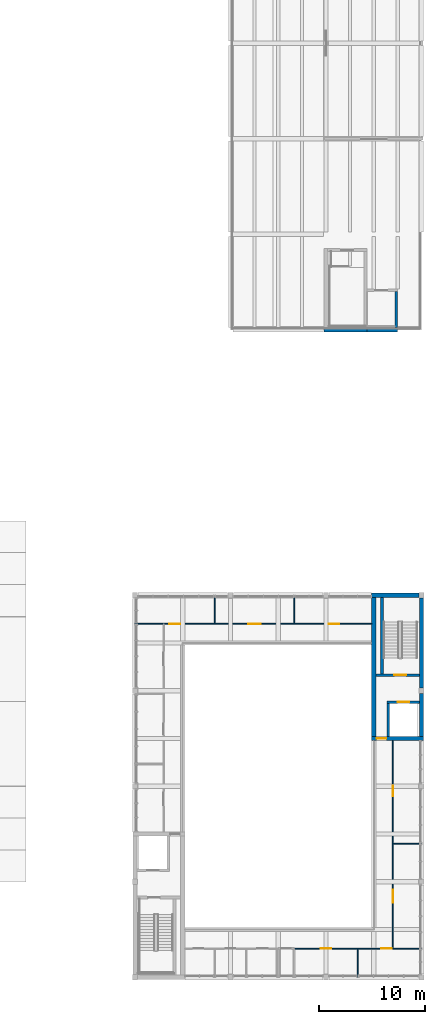
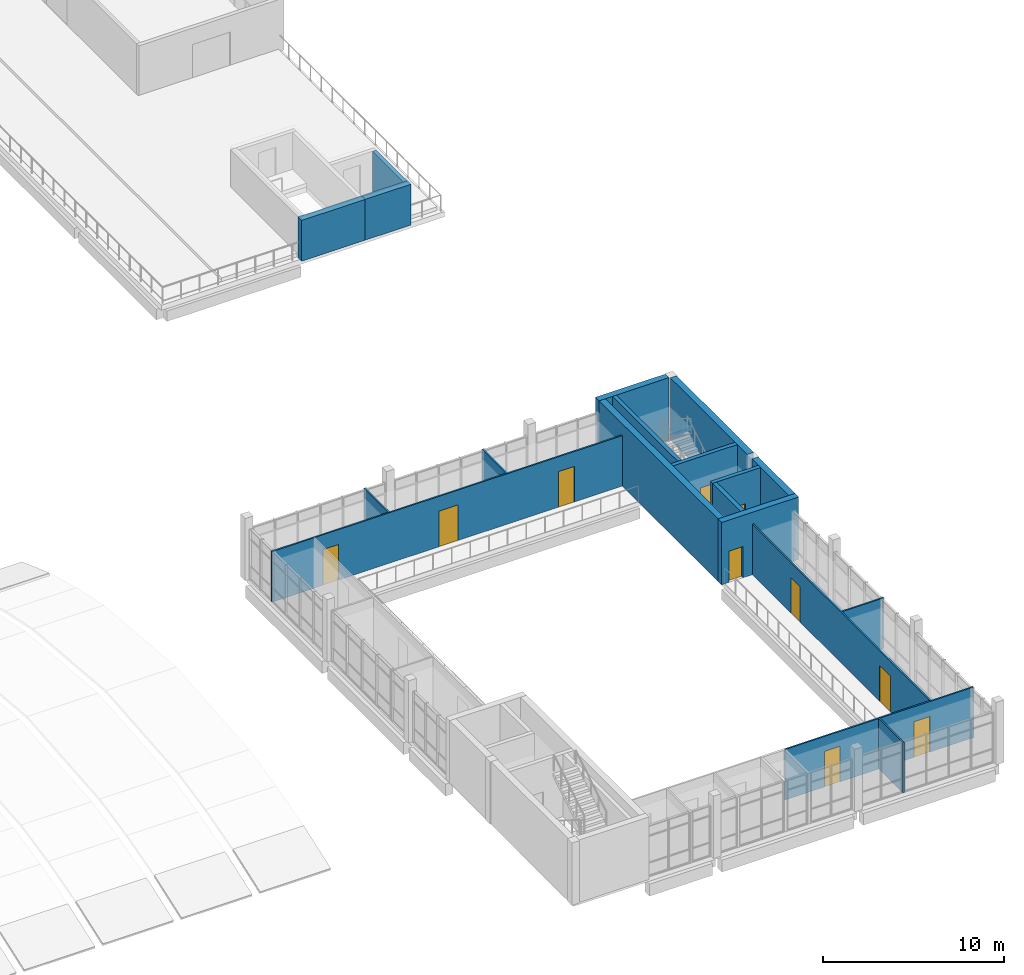
# One storey, part 43 of 74: 19 walls, 10 doors, 10 openings.
"""IFC4 building model written with IfcOpenShell, lengths in metres."""

import ifcopenshell
import ifcopenshell.guid

model = None  # the IFC model being written
_history = None  # IfcOwnerHistory: only IFC2X3 demands one
_inside = {}  # id of a spatial element -> (the spatial element, [elements in it])
_under = {}  # id of a project, library or spatial element -> (it, [spatial elements below it])
_declared = {}  # id of a project -> (the project, [libraries it declares])
_typed = {}  # id of a type object -> (the type object, [elements of that type])
_made_of = {}  # id of a material, layer set ... -> (it, [elements and type objects made of it])


def new_model(schema):
    """Start an empty IFC model of exactly this schema.

    Asked for "IFC4X3", IfcOpenShell would pick the latest addendum, in which some entities
    have other attributes; the version numbers below select the first issue.
    IFC2X3 requires an IfcOwnerHistory on every rooted entity: one is made here for all.
    """
    global model, _history
    if schema == "IFC4X3":
        model = ifcopenshell.file(schema_version=(4, 3, 0, 0))
    else:
        model = ifcopenshell.file(schema=schema)
    _inside.clear()
    _under.clear()
    _declared.clear()
    _typed.clear()
    _made_of.clear()
    _history = None
    if model.schema == "IFC2X3":
        org = make("IfcOrganization", Name="unknown")
        user = make(
            "IfcPersonAndOrganization",
            ThePerson=make("IfcPerson", FamilyName="unknown"),
            TheOrganization=org,
        )
        app = make(
            "IfcApplication",
            ApplicationDeveloper=org,
            Version="unknown",
            ApplicationFullName="unknown",
            ApplicationIdentifier="unknown",
        )
        _history = make(
            "IfcOwnerHistory",
            OwningUser=user,
            OwningApplication=app,
            ChangeAction="ADDED",
            CreationDate=0,
        )
    return model


def make(cls, **values):
    """One entity of the class cls with the attributes given. An attribute that is None is left unset."""
    return model.create_entity(
        cls, **{name: value for name, value in values.items() if value is not None}
    )


def rooted(cls, **values):
    """An entity with a GlobalId (a new one), such as an element, a storey or a relation."""
    return make(cls, GlobalId=ifcopenshell.guid.new(), OwnerHistory=_history, **values)


def si_unit(unit_type, name, prefix=None):
    """IfcSIUnit, for example si_unit("LENGTHUNIT", "METRE", prefix="MILLI")."""
    return make("IfcSIUnit", UnitType=unit_type, Prefix=prefix, Name=name)


def assignment(units):
    """IfcUnitAssignment: the units of a project."""
    return None if units is None else make("IfcUnitAssignment", Units=units)


def point(xyz):
    """IfcCartesianPoint."""
    return None if xyz is None else make("IfcCartesianPoint", Coordinates=xyz)


def direction(xyz):
    """IfcDirection."""
    return None if xyz is None else make("IfcDirection", DirectionRatios=xyz)


def frame(location, z_axis=None, x_axis=None):
    """IfcAxis2Placement3D, a coordinate frame: its origin and axes. An axis left out is left unset."""
    return make(
        "IfcAxis2Placement3D",
        Location=point(location),
        Axis=direction(z_axis),
        RefDirection=direction(x_axis),
    )


def frame_2d(location, x_axis=None):
    """IfcAxis2Placement2D, a coordinate frame in the plane: its origin and x axis."""
    return make(
        "IfcAxis2Placement2D", Location=point(location), RefDirection=direction(x_axis)
    )


def origin():
    """The frame at (0, 0, 0) with its axes left unset."""
    return frame((0.0, 0.0, 0.0))


def place(relative_to, where):
    """IfcLocalPlacement: puts the frame where relative to a parent placement (None: the world)."""
    return make(
        "IfcLocalPlacement", PlacementRelTo=relative_to, RelativePlacement=where
    )


def context(
    kind, dimensions, precision=None, world=None, true_north=None, identifier=None
):
    """IfcGeometricRepresentationContext, for example the 3D "Model" context."""
    return make(
        "IfcGeometricRepresentationContext",
        ContextIdentifier=identifier,
        ContextType=kind,
        CoordinateSpaceDimension=dimensions,
        Precision=precision,
        WorldCoordinateSystem=world,
        TrueNorth=true_north,
    )


def subcontext(parent, identifier, kind, view, scale=None):
    """IfcGeometricRepresentationSubContext, for example "Body" below "Model"."""
    return make(
        "IfcGeometricRepresentationSubContext",
        ContextIdentifier=identifier,
        ContextType=kind,
        ParentContext=parent,
        TargetScale=scale,
        TargetView=view,
    )


def project(units=None, contexts=None):
    """IfcProject with its units and contexts."""
    return rooted(
        "IfcProject",
        Name="project",
        RepresentationContexts=contexts,
        UnitsInContext=assignment(units),
    )


def spatial(cls, under=None, at=None, **own):
    """A site, building, storey or space (cls), placed at a placement, below another one or the project."""
    s = rooted(cls, ObjectPlacement=at, **own)
    if under is not None:
        _under.setdefault(under.id(), (under, []))[1].append(s)
    return s


def profile(cls, at=None, kind="AREA", **sizes):
    """A parametric profile (cls). Its sizes go by their IFC names, for example OverallWidth=200.0."""
    return make(cls, ProfileType=kind, Position=at, **sizes)


def rectangle(**sizes):
    """IfcRectangleProfileDef."""
    return profile("IfcRectangleProfileDef", **sizes)


def extrude(swept, where, along, depth):
    """IfcExtrudedAreaSolid: the profile swept, set in the frame where, extruded along a direction by depth."""
    return make(
        "IfcExtrudedAreaSolid",
        SweptArea=swept,
        Position=where,
        ExtrudedDirection=direction(along),
        Depth=depth,
    )


def shape(context_of_items, identifier, shape_type, items):
    """IfcShapeRepresentation: the items that make up one representation, for example the "Body"."""
    return make(
        "IfcShapeRepresentation",
        ContextOfItems=context_of_items,
        RepresentationIdentifier=identifier,
        RepresentationType=shape_type,
        Items=items,
    )


def material(Name=None, Category=None):
    """IfcMaterial."""
    return make("IfcMaterial", Name=Name, Category=Category)


def layer(
    of_material, thickness, ventilated=None, Name=None, Category=None, Priority=None
):
    """IfcMaterialLayer: one layer of a wall or slab, of a material (None: an air gap)."""
    return make(
        "IfcMaterialLayer",
        Material=of_material,
        LayerThickness=thickness,
        IsVentilated=ventilated,
        Name=Name,
        Category=Category,
        Priority=Priority,
    )


def layer_set(layers, Name=None):
    """IfcMaterialLayerSet."""
    return make("IfcMaterialLayerSet", MaterialLayers=layers, LayerSetName=Name)


def made_of(thing, what):
    """Note that an element or type object is made of a material, layer set ...; save() writes the relation."""
    if what is not None:
        _made_of.setdefault(what.id(), (what, []))[1].append(thing)
    return thing


def type_object(cls, material=None, **own):
    """A type object (cls), such as IfcWallType, which elements share."""
    return made_of(rooted(cls, **own), material)


def element(
    cls,
    number,
    at=None,
    inside=None,
    cuts=None,
    type_object=None,
    material=None,
    context=None,
    identifier="Body",
    shape_type=None,
    held_by="IfcProductDefinitionShape",
    body=None,
    shapes=None,
    **own,
):
    """One element of the class cls, such as IfcWall. Its Tag is "e" and its number.

    at: its placement. inside: the storey or other place that contains it. cuts: it is an
    opening in that element (IfcRelVoidsElement). A single representation is given by context,
    identifier, shape_type and body (its items); several are given by shapes. held_by: the class
    of the entity that holds the representations. save() writes the other relations.
    """
    e = rooted(cls, Tag="e%d" % number, ObjectPlacement=at, **own)
    if body is not None:
        shapes = [shape(context, identifier, shape_type, body)]
    if shapes is not None:
        e.Representation = make(held_by, Representations=shapes)
    if inside is not None:
        _inside.setdefault(inside.id(), (inside, []))[1].append(e)
    if cuts is not None:
        rooted(
            "IfcRelVoidsElement", RelatingBuildingElement=cuts, RelatedOpeningElement=e
        )
    if type_object is not None:
        _typed.setdefault(type_object.id(), (type_object, []))[1].append(e)
    return made_of(e, material)


def fill(opening, filler):
    """IfcRelFillsElement: the door or window that sits in an opening."""
    return rooted(
        "IfcRelFillsElement",
        RelatingOpeningElement=opening,
        RelatedBuildingElement=filler,
    )


def aggregate(whole, parts):
    """IfcRelAggregates: a whole, such as a stair, and the parts it consists of."""
    return rooted("IfcRelAggregates", RelatingObject=whole, RelatedObjects=parts)


def save(model, path):
    """Write the relations noted so far, then the file.

    IfcRelAggregates (storeys below a building ...), IfcRelContainedInSpatialStructure (elements
    in a storey), IfcRelDefinesByType, IfcRelAssociatesMaterial and IfcRelDeclares: one each for
    every whole, place, type object, material and project.
    """
    for whole, parts in _under.values():
        aggregate(whole, parts)
    for where, things in _inside.values():
        rooted(
            "IfcRelContainedInSpatialStructure",
            RelatedElements=things,
            RelatingStructure=where,
        )
    for kind, things in _typed.values():
        rooted("IfcRelDefinesByType", RelatedObjects=things, RelatingType=kind)
    for what, things in _made_of.values():
        rooted("IfcRelAssociatesMaterial", RelatedObjects=things, RelatingMaterial=what)
    for by, libraries in _declared.values():
        rooted("IfcRelDeclares", RelatingContext=by, RelatedDefinitions=libraries)
    model.write(path)


model = new_model("IFC4")

# Units and contexts
model_context = context("Model", 3, precision=1e-05, world=origin(), true_north=direction((0.0, 1.0)))
body_context = subcontext(model_context, "Body", "Model", "MODEL_VIEW")
ifc_project = project(units=[si_unit("LENGTHUNIT", "METRE"), si_unit("AREAUNIT", "SQUARE_METRE"), si_unit("VOLUMEUNIT", "CUBIC_METRE"), si_unit("PLANEANGLEUNIT", "RADIAN"), si_unit("MASSUNIT", "GRAM", prefix="KILO")], contexts=[model_context])

# Site, building, storey
site_placement = place(None, origin())
site = spatial("IfcSite", under=ifc_project, at=site_placement, CompositionType="ELEMENT")
building_placement = place(site_placement, origin())
building = spatial("IfcBuilding", under=site, at=building_placement, Name="Merrow Basin Faculty of Sciences", CompositionType="ELEMENT")
storey_placement = place(building_placement, frame((0.0, 0.0, 13.5)))
storey = spatial("IfcBuildingStorey", under=building, at=storey_placement, Name="L03", CompositionType="ELEMENT", Elevation=13.5)

# Walls
ifc_material_1 = material(Name="Gypsum board")
ifc_layer_1 = layer(ifc_material_1, 0.10009765625)
ifc_layer_set_1 = layer_set([ifc_layer_1], Name="Partition 100 gypsum board on steel studs")
wall_type_1 = type_object("IfcWallType", Name="Partition 100 gypsum board on steel studs", PredefinedType="PARTITIONING", material=ifc_layer_set_1)
for number, where, z_axis, x_axis, name in (
    (1, (52.5, 33.300048828125, 0.0), (0.0, 0.0, 1.0), (0.0, 1.0, 0.0), "IW100 L03 008"),
    (2, (60.0, 33.300048828125, 0.0), (0.0, 0.0, 1.0), (0.0, 1.0, 0.0), "IW100 L03 009"),
    (3, (66.0, 0.0, 0.0), (0.0, 0.0, 1.0), (0.0, 1.0, 0.0), "IW100 L03 010"),
):
    element("IfcWall", number, at=place(storey_placement, frame(where, z_axis=z_axis, x_axis=x_axis)), inside=storey, type_object=wall_type_1, Name=name, PredefinedType="PARTITIONING", context=body_context, shape_type="SweptSolid", body=[
        extrude(rectangle(XDim=2.699951171875, YDim=0.10009765625, at=frame_2d((1.35009765625, 0.0))), origin(), (0.0, 0.0, 1.0), 3.39990234375),
    ])

# Wall, openings, doors
wall_1_placement = place(storey_placement, frame((69.300048828125, 2.699951171875, 0.0), z_axis=(0.0, 0.0, 1.0), x_axis=(0.0, 1.0, 0.0)))
wall_1 = element("IfcWall", 4, at=wall_1_placement, inside=storey, type_object=wall_type_1, Name="IW100 L03 011", PredefinedType="PARTITIONING", context=body_context, shape_type="SweptSolid", body=[
    extrude(rectangle(XDim=19.60009765625, YDim=0.10009765625, at=frame_2d((9.800048828125, 0.0))), origin(), (0.0, 0.0, 1.0), 3.39990234375),
])
opening_1_placement = place(wall_1_placement, frame((4.35009765625, 0.0, 0.0)))
opening_1 = element("IfcOpeningElement", 5, at=opening_1_placement, cuts=wall_1, Name="Opening D03A011", PredefinedType="OPENING", context=body_context, shape_type="SweptSolid", body=[
    extrude(rectangle(XDim=1.199951171875, YDim=2.39990234375, at=frame_2d((0.60009765625, 1.199951171875))), frame((0.0, 0.06005859375, 0.0), z_axis=(0.0, -1.0, 0.0), x_axis=(1.0, 0.0, 0.0)), (0.0, 0.0, 1.0), 0.1201171875),
])
opening_2_placement = place(wall_1_placement, frame((14.35009765625, 0.0, 0.0)))
opening_2 = element("IfcOpeningElement", 6, at=opening_2_placement, cuts=wall_1, Name="Opening D03A012", PredefinedType="OPENING", context=body_context, shape_type="SweptSolid", body=[
    extrude(rectangle(XDim=1.0, YDim=2.39990234375, at=frame_2d((0.5, 1.199951171875))), frame((0.0, 0.06005859375, 0.0), z_axis=(0.0, -1.0, 0.0), x_axis=(1.0, 0.0, 0.0)), (0.0, 0.0, 1.0), 0.1201171875),
])
ifc_material_2 = material(Name="Glazed aluminium door", Category="aluminium")
door_type_1 = type_object("IfcDoorType", Name="Glazed single door 1000 x 2400", OperationType="NOTDEFINED", PredefinedType="DOOR", material=ifc_material_2)
door_1_placement = place(opening_2_placement, origin())
door_1 = element("IfcDoor", 7, at=door_1_placement, inside=storey, type_object=door_type_1, Name="Door D03A012", OperationType="SINGLE_SWING_LEFT", OverallHeight=2.39990234375, OverallWidth=1.0, PredefinedType="DOOR", context=body_context, shape_type="SweptSolid", body=[
    extrude(rectangle(XDim=1.0, YDim=2.39990234375, at=frame_2d((0.5, 1.199951171875))), frame((0.0, 0.02490234375, 0.0), z_axis=(0.0, -1.0, 0.0), x_axis=(1.0, 0.0, 0.0)), (0.0, 0.0, 1.0), 0.050048828125),
])
fill(opening_2, door_1)
ifc_material_3 = material(Name="Glazed aluminium door", Category="aluminium")
door_type_2 = type_object("IfcDoorType", Name="Glazed single door 1200 x 2400", OperationType="NOTDEFINED", PredefinedType="DOOR", material=ifc_material_3)
door_2_placement = place(opening_1_placement, origin())
door_2 = element("IfcDoor", 8, at=door_2_placement, inside=storey, type_object=door_type_2, Name="Door D03A011", OperationType="SINGLE_SWING_LEFT", OverallHeight=2.39990234375, OverallWidth=1.199951171875, PredefinedType="DOOR", context=body_context, shape_type="SweptSolid", body=[
    extrude(rectangle(XDim=1.199951171875, YDim=2.39990234375, at=frame_2d((0.60009765625, 1.199951171875))), frame((0.0, 0.02490234375, 0.0), z_axis=(0.0, -1.0, 0.0), x_axis=(1.0, 0.0, 0.0)), (0.0, 0.0, 1.0), 0.050048828125),
])
fill(opening_1, door_2)

wall_2_placement = place(storey_placement, frame((60.0, 2.699951171875, 0.0), z_axis=(0.0, 0.0, 1.0), x_axis=(1.0, 0.0, 0.0)))
wall_2 = element("IfcWall", 9, at=wall_2_placement, inside=storey, type_object=wall_type_1, Name="IW100 L03 012", PredefinedType="PARTITIONING", context=body_context, shape_type="SweptSolid", body=[
    extrude(rectangle(XDim=12.0, YDim=0.10009765625, at=frame_2d((6.0, 0.0))), origin(), (0.0, 0.0, 1.0), 3.39990234375),
])
opening_3_placement = place(wall_2_placement, frame((2.5, 0.0, 0.0)))
opening_3 = element("IfcOpeningElement", 10, at=opening_3_placement, cuts=wall_2, Name="Opening D03A009", PredefinedType="OPENING", context=body_context, shape_type="SweptSolid", body=[
    extrude(rectangle(XDim=1.0, YDim=2.39990234375, at=frame_2d((0.5, 1.199951171875))), frame((0.0, 0.06005859375, 0.0), z_axis=(0.0, -1.0, 0.0), x_axis=(1.0, 0.0, 0.0)), (0.0, 0.0, 1.0), 0.1201171875),
])
opening_4_placement = place(wall_2_placement, frame((8.199951171875, 0.0, 0.0)))
opening_4 = element("IfcOpeningElement", 11, at=opening_4_placement, cuts=wall_2, Name="Opening D03A010", PredefinedType="OPENING", context=body_context, shape_type="SweptSolid", body=[
    extrude(rectangle(XDim=1.0, YDim=2.39990234375, at=frame_2d((0.5, 1.199951171875))), frame((0.0, 0.06005859375, 0.0), z_axis=(0.0, -1.0, 0.0), x_axis=(1.0, 0.0, 0.0)), (0.0, 0.0, 1.0), 0.1201171875),
])
door_3_placement = place(opening_3_placement, origin())
door_3 = element("IfcDoor", 12, at=door_3_placement, inside=storey, type_object=door_type_1, Name="Door D03A009", OperationType="SINGLE_SWING_LEFT", OverallHeight=2.39990234375, OverallWidth=1.0, PredefinedType="DOOR", context=body_context, shape_type="SweptSolid", body=[
    extrude(rectangle(XDim=1.0, YDim=2.39990234375, at=frame_2d((0.5, 1.199951171875))), frame((0.0, 0.02490234375, 0.0), z_axis=(0.0, -1.0, 0.0), x_axis=(1.0, 0.0, 0.0)), (0.0, 0.0, 1.0), 0.050048828125),
])
fill(opening_3, door_3)
door_4_placement = place(opening_4_placement, origin())
door_4 = element("IfcDoor", 13, at=door_4_placement, inside=storey, type_object=door_type_1, Name="Door D03A010", OperationType="SINGLE_SWING_LEFT", OverallHeight=2.39990234375, OverallWidth=1.0, PredefinedType="DOOR", context=body_context, shape_type="SweptSolid", body=[
    extrude(rectangle(XDim=1.0, YDim=2.39990234375, at=frame_2d((0.5, 1.199951171875))), frame((0.0, 0.02490234375, 0.0), z_axis=(0.0, -1.0, 0.0), x_axis=(1.0, 0.0, 0.0)), (0.0, 0.0, 1.0), 0.050048828125),
])
fill(opening_4, door_4)

# Wall
wall_3_placement = place(storey_placement, frame((69.35009765625, 12.60009765625, 0.0), z_axis=(0.0, 0.0, 1.0), x_axis=(1.0, 0.0, 0.0)))
element("IfcWall", 14, at=wall_3_placement, inside=storey, type_object=wall_type_1, Name="IW100 L03 013", PredefinedType="PARTITIONING", context=body_context, shape_type="SweptSolid", body=[
    extrude(rectangle(XDim=2.64990234375, YDim=0.10009765625, at=frame_2d((1.324951171875, 0.0))), origin(), (0.0, 0.0, 1.0), 3.39990234375),
])

# Wall, openings, doors
wall_4_placement = place(storey_placement, frame((45.0, 33.300048828125, 0.0), z_axis=(0.0, 0.0, 1.0), x_axis=(1.0, 0.0, 0.0)))
wall_4 = element("IfcWall", 15, at=wall_4_placement, inside=storey, type_object=wall_type_1, Name="IW100 L03 016", PredefinedType="PARTITIONING", context=body_context, shape_type="SweptSolid", body=[
    extrude(rectangle(XDim=22.300048828125, YDim=0.10009765625, at=frame_2d((11.14990234375, 0.0))), origin(), (0.0, 0.0, 1.0), 3.39990234375),
])
opening_5_placement = place(wall_4_placement, frame((3.25, 0.0, 0.0)))
opening_5 = element("IfcOpeningElement", 16, at=opening_5_placement, cuts=wall_4, Name="Opening D03A013", PredefinedType="OPENING", context=body_context, shape_type="SweptSolid", body=[
    extrude(rectangle(XDim=1.0, YDim=2.39990234375, at=frame_2d((0.5, 1.199951171875))), frame((0.0, 0.06005859375, 0.0), z_axis=(0.0, -1.0, 0.0), x_axis=(1.0, 0.0, 0.0)), (0.0, 0.0, 1.0), 0.1201171875),
])
opening_6_placement = place(wall_4_placement, frame((10.64990234375, 0.0, 0.0)))
opening_6 = element("IfcOpeningElement", 17, at=opening_6_placement, cuts=wall_4, Name="Opening D03A014", PredefinedType="OPENING", context=body_context, shape_type="SweptSolid", body=[
    extrude(rectangle(XDim=1.199951171875, YDim=2.39990234375, at=frame_2d((0.60009765625, 1.199951171875))), frame((0.0, 0.06005859375, 0.0), z_axis=(0.0, -1.0, 0.0), x_axis=(1.0, 0.0, 0.0)), (0.0, 0.0, 1.0), 0.1201171875),
])
opening_7_placement = place(wall_4_placement, frame((18.25, 0.0, 0.0)))
opening_7 = element("IfcOpeningElement", 18, at=opening_7_placement, cuts=wall_4, Name="Opening D03A015", PredefinedType="OPENING", context=body_context, shape_type="SweptSolid", body=[
    extrude(rectangle(XDim=1.0, YDim=2.39990234375, at=frame_2d((0.5, 1.199951171875))), frame((0.0, 0.06005859375, 0.0), z_axis=(0.0, -1.0, 0.0), x_axis=(1.0, 0.0, 0.0)), (0.0, 0.0, 1.0), 0.1201171875),
])
door_5_placement = place(opening_5_placement, origin())
door_5 = element("IfcDoor", 19, at=door_5_placement, inside=storey, type_object=door_type_1, Name="Door D03A013", OperationType="SINGLE_SWING_LEFT", OverallHeight=2.39990234375, OverallWidth=1.0, PredefinedType="DOOR", context=body_context, shape_type="SweptSolid", body=[
    extrude(rectangle(XDim=1.0, YDim=2.39990234375, at=frame_2d((0.5, 1.199951171875))), frame((0.0, 0.02490234375, 0.0), z_axis=(0.0, -1.0, 0.0), x_axis=(1.0, 0.0, 0.0)), (0.0, 0.0, 1.0), 0.050048828125),
])
fill(opening_5, door_5)
door_6_placement = place(opening_7_placement, origin())
door_6 = element("IfcDoor", 20, at=door_6_placement, inside=storey, type_object=door_type_1, Name="Door D03A015", OperationType="SINGLE_SWING_LEFT", OverallHeight=2.39990234375, OverallWidth=1.0, PredefinedType="DOOR", context=body_context, shape_type="SweptSolid", body=[
    extrude(rectangle(XDim=1.0, YDim=2.39990234375, at=frame_2d((0.5, 1.199951171875))), frame((0.0, 0.02490234375, 0.0), z_axis=(0.0, -1.0, 0.0), x_axis=(1.0, 0.0, 0.0)), (0.0, 0.0, 1.0), 0.050048828125),
])
fill(opening_7, door_6)
door_7_placement = place(opening_6_placement, origin())
door_7 = element("IfcDoor", 21, at=door_7_placement, inside=storey, type_object=door_type_2, Name="Door D03A014", OperationType="SINGLE_SWING_LEFT", OverallHeight=2.39990234375, OverallWidth=1.199951171875, PredefinedType="DOOR", context=body_context, shape_type="SweptSolid", body=[
    extrude(rectangle(XDim=1.199951171875, YDim=2.39990234375, at=frame_2d((0.60009765625, 1.199951171875))), frame((0.0, 0.02490234375, 0.0), z_axis=(0.0, -1.0, 0.0), x_axis=(1.0, 0.0, 0.0)), (0.0, 0.0, 1.0), 0.050048828125),
])
fill(opening_6, door_7)

# Wall
ifc_material_4 = material(Name="Concrete C40/50", Category="concrete")
ifc_layer_2 = layer(ifc_material_4, 0.25)
ifc_layer_set_2 = layer_set([ifc_layer_2], Name="Shear wall 250 Concrete C40/50")
wall_type_2 = type_object("IfcWallType", Name="Shear wall 250 Concrete C40/50", PredefinedType="SHEAR", material=ifc_layer_set_2)
wall_5_placement = place(storey_placement, frame((69.625, 61.199951171875, 0.0), z_axis=(0.0, 0.0, 1.0), x_axis=(0.0, 1.0, 0.0)))
element("IfcWall", 22, at=wall_5_placement, inside=storey, type_object=wall_type_2, Name="SW2 L03 014", PredefinedType="SHEAR", context=body_context, shape_type="SweptSolid", body=[
    extrude(rectangle(XDim=3.400146484375, YDim=0.25, at=frame_2d((1.7001953125, 0.0))), origin(), (0.0, 0.0, 1.0), 2.75),
])

# Wall, opening, door
wall_6_placement = place(storey_placement, frame((67.699951171875, 28.47509765625, 0.0), z_axis=(0.0, 0.0, 1.0), x_axis=(1.0, 0.0, 0.0)))
wall_6 = element("IfcWall", 23, at=wall_6_placement, inside=storey, type_object=wall_type_2, Name="SW2 L03 015", PredefinedType="SHEAR", context=body_context, shape_type="SweptSolid", body=[
    extrude(rectangle(XDim=4.10009765625, YDim=0.25, at=frame_2d((2.050048828125, 0.0))), origin(), (0.0, 0.0, 1.0), 4.199951171875),
])
opening_8_placement = place(wall_6_placement, frame((1.75, 0.0, 0.0)))
opening_8 = element("IfcOpeningElement", 24, at=opening_8_placement, cuts=wall_6, Name="Opening D03A003", PredefinedType="OPENING", context=body_context, shape_type="SweptSolid", body=[
    extrude(rectangle(XDim=1.10009765625, YDim=2.10009765625, at=frame_2d((0.550048828125, 1.050048828125))), frame((0.0, 0.135009765625, 0.0), z_axis=(0.0, -1.0, 0.0), x_axis=(1.0, 0.0, 0.0)), (0.0, 0.0, 1.0), 0.27001953125),
])
ifc_material_5 = material(Name="Fire-rated steel door", Category="steel")
door_type_3 = type_object("IfcDoorType", Name="Fire door FD90 1100 x 2100", OperationType="NOTDEFINED", PredefinedType="DOOR", material=ifc_material_5)
door_8_placement = place(opening_8_placement, origin())
door_8 = element("IfcDoor", 25, at=door_8_placement, inside=storey, type_object=door_type_3, Name="Door D03A003", OperationType="SINGLE_SWING_RIGHT", OverallHeight=2.10009765625, OverallWidth=1.10009765625, PredefinedType="DOOR", context=body_context, shape_type="SweptSolid", body=[
    extrude(rectangle(XDim=1.10009765625, YDim=2.10009765625, at=frame_2d((0.550048828125, 1.050048828125))), frame((0.0, 0.02490234375, 0.0), z_axis=(0.0, -1.0, 0.0), x_axis=(1.0, 0.0, 0.0)), (0.0, 0.0, 1.0), 0.050048828125),
])
fill(opening_8, door_8)

# Wall
wall_7_placement = place(storey_placement, frame((68.27490234375, 28.60009765625, 0.0), z_axis=(0.0, 0.0, 1.0), x_axis=(0.0, 1.0, 0.0)))
element("IfcWall", 26, at=wall_7_placement, inside=storey, type_object=wall_type_2, Name="SW2 L03 016", PredefinedType="SHEAR", context=body_context, shape_type="SweptSolid", body=[
    extrude(rectangle(XDim=7.199951171875, YDim=0.25, at=frame_2d((3.60009765625, 0.0))), origin(), (0.0, 0.0, 1.0), 4.199951171875),
])

# Wall, opening, door
wall_8_placement = place(storey_placement, frame((68.75, 25.925048828125, 0.0), z_axis=(0.0, 0.0, 1.0), x_axis=(1.0, 0.0, 0.0)))
wall_8 = element("IfcWall", 27, at=wall_8_placement, inside=storey, type_object=wall_type_2, Name="SW2 L03 017", PredefinedType="SHEAR", context=body_context, shape_type="SweptSolid", body=[
    extrude(rectangle(XDim=3.050048828125, YDim=0.25, at=frame_2d((1.52490234375, 0.0))), origin(), (0.0, 0.0, 1.0), 4.199951171875),
])
opening_9_placement = place(wall_8_placement, frame((1.0, 0.0, 0.0)))
opening_9 = element("IfcOpeningElement", 28, at=opening_9_placement, cuts=wall_8, Name="Opening LD03A02", PredefinedType="OPENING", context=body_context, shape_type="SweptSolid", body=[
    extrude(rectangle(XDim=1.10009765625, YDim=2.10009765625, at=frame_2d((0.550048828125, 1.050048828125))), frame((0.0, 0.135009765625, 0.0), z_axis=(0.0, -1.0, 0.0), x_axis=(1.0, 0.0, 0.0)), (0.0, 0.0, 1.0), 0.27001953125),
])
ifc_material_6 = material(Name="Stainless steel sliding door", Category="steel")
door_type_4 = type_object("IfcDoorType", Name="Lift landing door 1100 x 2100 sliding", OperationType="NOTDEFINED", PredefinedType="DOOR", material=ifc_material_6)
door_9_placement = place(opening_9_placement, origin())
door_9 = element("IfcDoor", 29, at=door_9_placement, inside=storey, type_object=door_type_4, Name="Landing door LF10 L03", OperationType="SLIDING_TO_LEFT", OverallHeight=2.10009765625, OverallWidth=1.10009765625, PredefinedType="DOOR", context=body_context, shape_type="SweptSolid", body=[
    extrude(rectangle(XDim=1.10009765625, YDim=2.10009765625, at=frame_2d((0.550048828125, 1.050048828125))), frame((0.0, 0.02490234375, 0.0), z_axis=(0.0, -1.0, 0.0), x_axis=(1.0, 0.0, 0.0)), (0.0, 0.0, 1.0), 0.050048828125),
])
fill(opening_9, door_9)

# Walls
wall_9_placement = place(storey_placement, frame((68.875, 22.699951171875, 0.0), z_axis=(0.0, 0.0, 1.0), x_axis=(0.0, 1.0, 0.0)))
element("IfcWall", 30, at=wall_9_placement, inside=storey, type_object=wall_type_2, Name="SW2 L03 018", PredefinedType="SHEAR", context=body_context, shape_type="SweptSolid", body=[
    extrude(rectangle(XDim=3.10009765625, YDim=0.25, at=frame_2d((1.550048828125, 0.0))), origin(), (0.0, 0.0, 1.0), 4.199951171875),
])
ifc_material_7 = material(Name="Concrete C40/50", Category="concrete")
ifc_layer_3 = layer(ifc_material_7, 0.39990234375)
ifc_layer_set_3 = layer_set([ifc_layer_3], Name="Shear wall 400 Concrete C40/50")
wall_type_3 = type_object("IfcWallType", Name="Shear wall 400 Concrete C40/50", PredefinedType="SHEAR", material=ifc_layer_set_3)
wall_10_placement = place(storey_placement, frame((62.800048828125, 61.0, 0.0), z_axis=(0.0, 0.0, 1.0), x_axis=(1.0, 0.0, 0.0)))
element("IfcWall", 31, at=wall_10_placement, inside=storey, type_object=wall_type_3, Name="SW1 L03 008", PredefinedType="SHEAR", context=body_context, shape_type="SweptSolid", body=[
    extrude(rectangle(XDim=4.050048828125, YDim=0.39990234375, at=frame_2d((2.02490234375, 0.0))), origin(), (0.0, 0.0, 1.0), 2.75),
])
wall_11_placement = place(storey_placement, frame((66.85009765625, 61.0, 0.0), z_axis=(0.0, 0.0, 1.0), x_axis=(1.0, 0.0, 0.0)))
element("IfcWall", 32, at=wall_11_placement, inside=storey, type_object=wall_type_3, Name="SW1 L03 012", PredefinedType="SHEAR", context=body_context, shape_type="SweptSolid", body=[
    extrude(rectangle(XDim=2.89990234375, YDim=0.39990234375, at=frame_2d((1.449951171875, 0.0))), origin(), (0.0, 0.0, 1.0), 2.75),
])

# Wall, opening, door
wall_12_placement = place(storey_placement, frame((67.300048828125, 22.5, 0.0), z_axis=(0.0, 0.0, 1.0), x_axis=(1.0, 0.0, 0.0)))
wall_12 = element("IfcWall", 33, at=wall_12_placement, inside=storey, type_object=wall_type_3, Name="SW1 L03 010", PredefinedType="SHEAR", context=body_context, shape_type="SweptSolid", body=[
    extrude(rectangle(XDim=4.89990234375, YDim=0.39990234375, at=frame_2d((2.449951171875, 0.0))), origin(), (0.0, 0.0, 1.0), 4.199951171875),
])
opening_10_placement = place(wall_12_placement, frame((0.47509765625, 0.0, 0.0)))
opening_10 = element("IfcOpeningElement", 34, at=opening_10_placement, cuts=wall_12, Name="Opening D03A004", PredefinedType="OPENING", context=body_context, shape_type="SweptSolid", body=[
    extrude(rectangle(XDim=0.89990234375, YDim=2.10009765625, at=frame_2d((0.449951171875, 1.050048828125))), frame((0.0, 0.2099609375, 0.0), z_axis=(0.0, -1.0, 0.0), x_axis=(1.0, 0.0, 0.0)), (0.0, 0.0, 1.0), 0.419921875),
])
ifc_material_8 = material(Name="Fire-rated steel door", Category="steel")
door_type_5 = type_object("IfcDoorType", Name="Fire door FD60 900 x 2100", OperationType="NOTDEFINED", PredefinedType="DOOR", material=ifc_material_8)
door_10_placement = place(opening_10_placement, origin())
door_10 = element("IfcDoor", 35, at=door_10_placement, inside=storey, type_object=door_type_5, Name="Door D03A004", OperationType="SINGLE_SWING_LEFT", OverallHeight=2.10009765625, OverallWidth=0.89990234375, PredefinedType="DOOR", context=body_context, shape_type="SweptSolid", body=[
    extrude(rectangle(XDim=0.89990234375, YDim=2.10009765625, at=frame_2d((0.449951171875, 1.050048828125))), frame((0.0, 0.02490234375, 0.0), z_axis=(0.0, -1.0, 0.0), x_axis=(1.0, 0.0, 0.0)), (0.0, 0.0, 1.0), 0.050048828125),
])
fill(opening_10, door_10)

# Walls
wall_13_placement = place(storey_placement, frame((67.300048828125, 36.0, 0.0), z_axis=(0.0, 0.0, 1.0), x_axis=(1.0, 0.0, 0.0)))
element("IfcWall", 36, at=wall_13_placement, inside=storey, type_object=wall_type_3, Name="SW1 L03 011", PredefinedType="SHEAR", context=body_context, shape_type="SweptSolid", body=[
    extrude(rectangle(XDim=4.449951171875, YDim=0.39990234375, at=frame_2d((2.22509765625, 0.0))), origin(), (0.0, 0.0, 1.0), 4.199951171875),
])
wall_14_placement = place(storey_placement, frame((67.5, 22.699951171875, 0.0), z_axis=(0.0, 0.0, 1.0), x_axis=(0.0, 1.0, 0.0)))
element("IfcWall", 37, at=wall_14_placement, inside=storey, type_object=wall_type_3, Name="SW1 L03 012", PredefinedType="SHEAR", context=body_context, shape_type="SweptSolid", body=[
    extrude(rectangle(XDim=13.10009765625, YDim=0.39990234375, at=frame_2d((6.550048828125, 0.0))), origin(), (0.0, 0.0, 1.0), 4.199951171875),
])
wall_15_placement = place(storey_placement, frame((72.0, 27.25, 0.0), z_axis=(0.0, 0.0, 1.0), x_axis=(0.0, 1.0, 0.0)))
element("IfcWall", 38, at=wall_15_placement, inside=storey, type_object=wall_type_3, Name="SW1 L03 013", PredefinedType="SHEAR", context=body_context, shape_type="SweptSolid", body=[
    extrude(rectangle(XDim=8.5, YDim=0.39990234375, at=frame_2d((4.25, 0.0))), origin(), (0.0, 0.0, 1.0), 4.199951171875),
])
wall_16_placement = place(storey_placement, frame((72.0, 22.699951171875, 0.0), z_axis=(0.0, 0.0, 1.0), x_axis=(0.0, 1.0, 0.0)))
element("IfcWall", 39, at=wall_16_placement, inside=storey, type_object=wall_type_3, Name="SW1 L03 014", PredefinedType="SHEAR", context=body_context, shape_type="SweptSolid", body=[
    extrude(rectangle(XDim=4.050048828125, YDim=0.39990234375, at=frame_2d((2.02490234375, 0.0))), origin(), (0.0, 0.0, 1.0), 4.199951171875),
])

save(model, "model.ifc")
